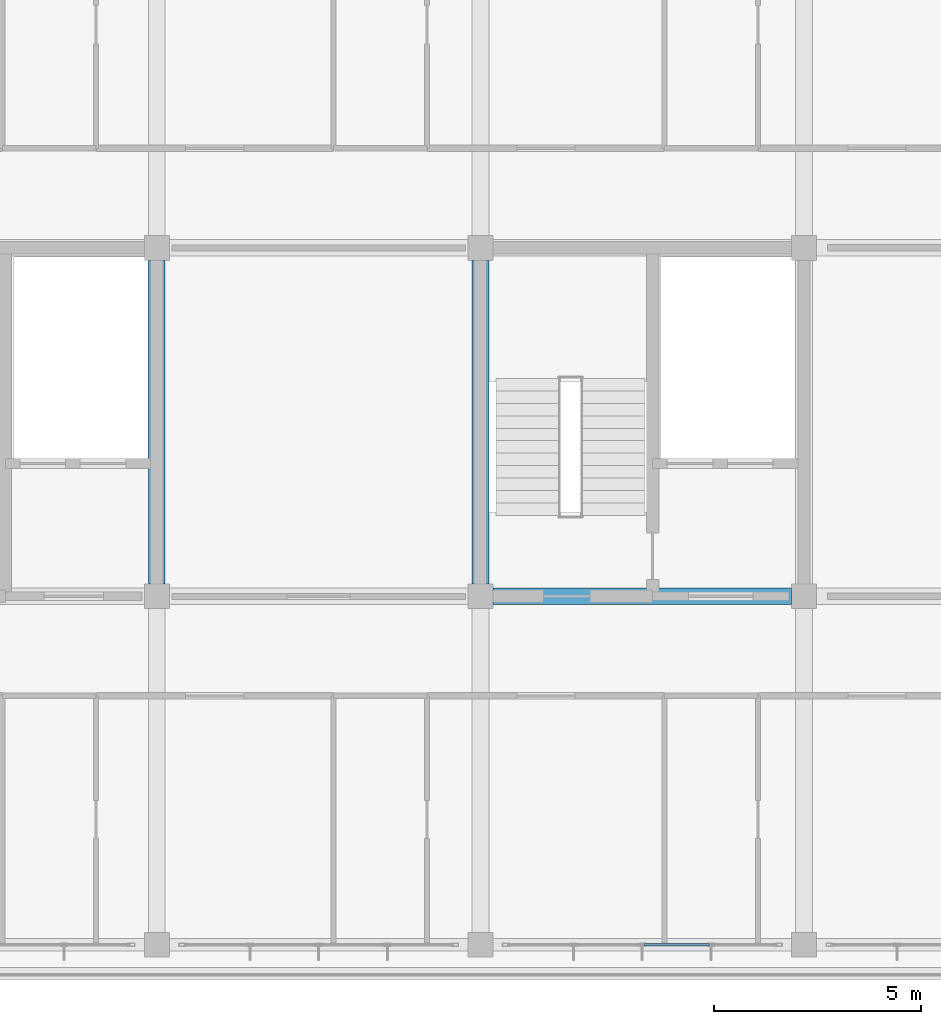
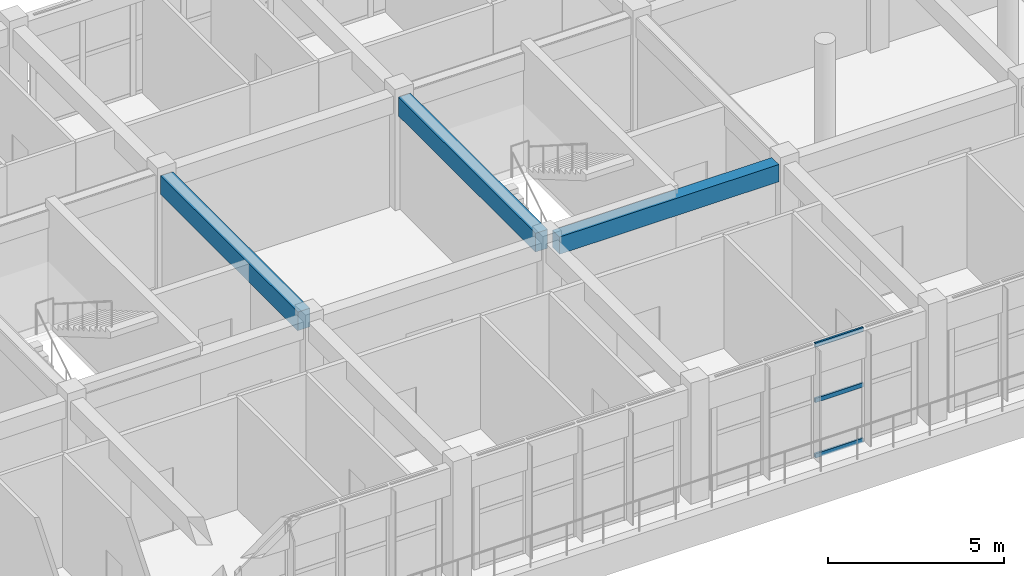
# One storey, part 22 of 56: 3 beams, 3 members, 1 element without a shape of its own.
"""IFC4 building model written with IfcOpenShell, lengths in metres."""

from ifc_helpers import new_model, si_unit, direction, frame, origin, origin_2d, place, context, subcontext, project, spatial, rectangle, hollow_rectangle, extrude, material, layer, layer_set, material_profile, profile_set, type_object, element, aggregate, save


model = new_model("IFC4")

# Units and contexts
model_context = context("Model", 3, precision=1e-05, world=origin(), true_north=direction((0.0, 1.0)))
body_context = subcontext(model_context, "Body", "Model", "MODEL_VIEW")
ifc_project = project(units=[si_unit("LENGTHUNIT", "METRE"), si_unit("AREAUNIT", "SQUARE_METRE"), si_unit("VOLUMEUNIT", "CUBIC_METRE"), si_unit("PLANEANGLEUNIT", "RADIAN"), si_unit("MASSUNIT", "GRAM", prefix="KILO")], contexts=[model_context])

# Site, building, storey
site_placement = place(None, origin())
site = spatial("IfcSite", under=ifc_project, at=site_placement, CompositionType="ELEMENT")
building_placement = place(site_placement, origin())
building = spatial("IfcBuilding", under=site, at=building_placement, Name="Zizhar Promenade General Hospital", CompositionType="ELEMENT")
storey_placement = place(building_placement, frame((0.0, 0.0, 26.39990234375)))
storey = spatial("IfcBuildingStorey", under=building, at=storey_placement, Name="L06", CompositionType="ELEMENT", Elevation=26.39990234375)

# Beams
ifc_material_1 = material(Name="Concrete C35/45", Category="concrete")
ifc_material_profile_1 = material_profile(ifc_material_1, rectangle(XDim=0.39990234375, YDim=0.60009765625, at=origin_2d()))
ifc_profile_set_1 = profile_set([ifc_material_profile_1], Name="Concrete C35/45")
beam_type_1 = type_object("IfcBeamType", Name="BM-RC-400x600", PredefinedType="JOIST", material=ifc_profile_set_1)
beam_placement = place(storey_placement, frame((93.89990234375, 8.39990234375, 3.610107421875), z_axis=(1.0, 0.0, 0.0), x_axis=(0.0, 1.0, 0.0)))
element("IfcBeam", 1, at=beam_placement, inside=storey, type_object=beam_type_1, Name="Grid Beam X L06 (12-1)", PredefinedType="JOIST", context=body_context, shape_type="SweptSolid", body=[
    extrude(rectangle(XDim=0.39990234375, YDim=0.60009765625, at=origin_2d()), origin(), (0.0, 0.0, 1.0), 7.2001953125),
])
ifc_material_2 = material(Name="Concrete C35/45", Category="concrete")
ifc_material_profile_2 = material_profile(ifc_material_2, rectangle(XDim=0.39990234375, YDim=0.64990234375, at=origin_2d()))
ifc_profile_set_2 = profile_set([ifc_material_profile_2], Name="Concrete C35/45")
beam_type_2 = type_object("IfcBeamType", Name="BM-RC-400x650", PredefinedType="BEAM", material=ifc_profile_set_2)
for number, where, z_axis, x_axis, name in (
    (2, (85.800048828125, 8.699951171875, 3.585205078125), (0.0, 1.0, 0.0), (-1.0, 0.0, 0.0), "Grid Beam Y L06 (11-1)"),
    (3, (93.60009765625, 8.699951171875, 3.585205078125), (0.0, 1.0, 0.0), (-1.0, 0.0, 0.0), "Grid Beam Y L06 (12-1)"),
):
    element("IfcBeam", number, at=place(storey_placement, frame(where, z_axis=z_axis, x_axis=x_axis)), inside=storey, type_object=beam_type_2, Name=name, PredefinedType="BEAM", context=body_context, shape_type="SweptSolid", body=[
        extrude(rectangle(XDim=0.39990234375, YDim=0.64990234375, at=origin_2d()), origin(), (0.0, 0.0, 1.0), 7.800048828125),
    ])

# Curtain wall, members
ifc_material_3 = material(Name="Anodised aluminium 6063-T6 and low-E glass", Category="aluminium")
ifc_layer = layer(ifc_material_3, 0.159912109375)
ifc_layer_set = layer_set([ifc_layer], Name="Anodised aluminium 6063-T6 and low-E glass")
curtain_wall_type = type_object("IfcCurtainWallType", Name="CW-WARD-RIB", PredefinedType="NOTDEFINED", material=ifc_layer_set)
curtain_wall_placement = place(storey_placement, origin())
curtain_wall = element("IfcCurtainWall", 4, at=curtain_wall_placement, inside=storey, type_object=curtain_wall_type, Name="Ward Ribbon Curtain Wall L06-17-2", PredefinedType="NOTDEFINED")
ifc_material_4 = material(Name="Anodised aluminium 6063-T6", Category="aluminium")
ifc_material_profile_3 = material_profile(ifc_material_4, hollow_rectangle(XDim=0.06005859375, YDim=0.14990234375, WallThickness=0.00390625, at=origin_2d()))
ifc_profile_set_3 = profile_set([ifc_material_profile_3], Name="Anodised aluminium 6063-T6")
member_type = type_object("IfcMemberType", Name="CWT-ALU-150x60", PredefinedType="USERDEFINED", material=ifc_profile_set_3)
member_1_placement = place(storey_placement, frame((99.1201171875, 0.0, 0.030029296875), z_axis=(-1.0, 0.0, 0.0), x_axis=(0.0, -1.0, 0.0)))
member_1 = element("IfcMember", 5, at=member_1_placement, type_object=member_type, Name="CW-13 transom 2.1", ObjectType="TRANSOM", PredefinedType="USERDEFINED", context=body_context, shape_type="SweptSolid", body=[
    extrude(hollow_rectangle(XDim=0.06005859375, YDim=0.14990234375, WallThickness=0.00390625, at=origin_2d()), origin(), (0.0, 0.0, 1.0), 1.580078125),
])
member_2_placement = place(storey_placement, frame((99.1201171875, 0.0, 1.9501953125), z_axis=(-1.0, 0.0, 0.0), x_axis=(0.0, -1.0, 0.0)))
member_2 = element("IfcMember", 6, at=member_2_placement, type_object=member_type, Name="CW-13 transom 2.2", ObjectType="TRANSOM", PredefinedType="USERDEFINED", context=body_context, shape_type="SweptSolid", body=[
    extrude(hollow_rectangle(XDim=0.06005859375, YDim=0.14990234375, WallThickness=0.00390625, at=origin_2d()), origin(), (0.0, 0.0, 1.0), 1.580078125),
])
member_3_placement = place(storey_placement, frame((99.1201171875, 0.0, 3.8701171875), z_axis=(-1.0, 0.0, 0.0), x_axis=(0.0, -1.0, 0.0)))
member_3 = element("IfcMember", 7, at=member_3_placement, type_object=member_type, Name="CW-13 transom 2.3", ObjectType="TRANSOM", PredefinedType="USERDEFINED", context=body_context, shape_type="SweptSolid", body=[
    extrude(hollow_rectangle(XDim=0.06005859375, YDim=0.14990234375, WallThickness=0.00390625, at=origin_2d()), origin(), (0.0, 0.0, 1.0), 1.580078125),
])
aggregate(curtain_wall, [member_1, member_2, member_3])

save(model, "model.ifc")
